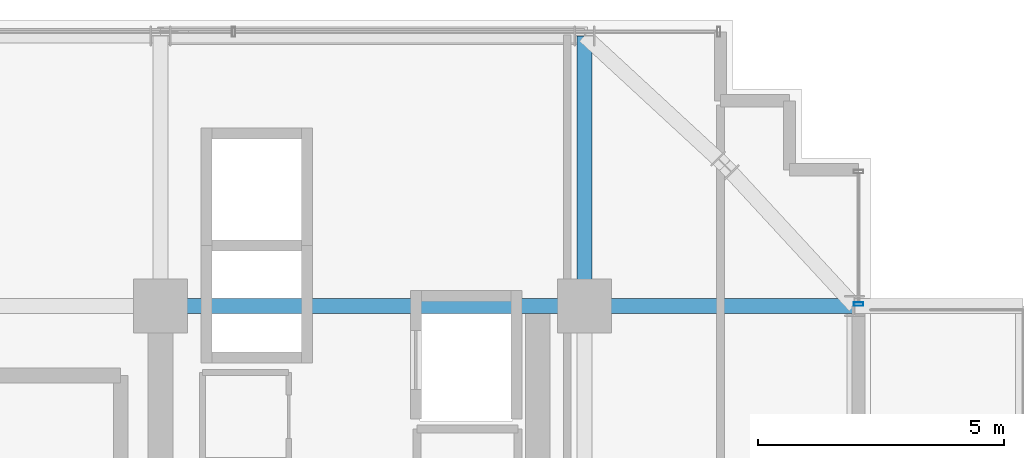
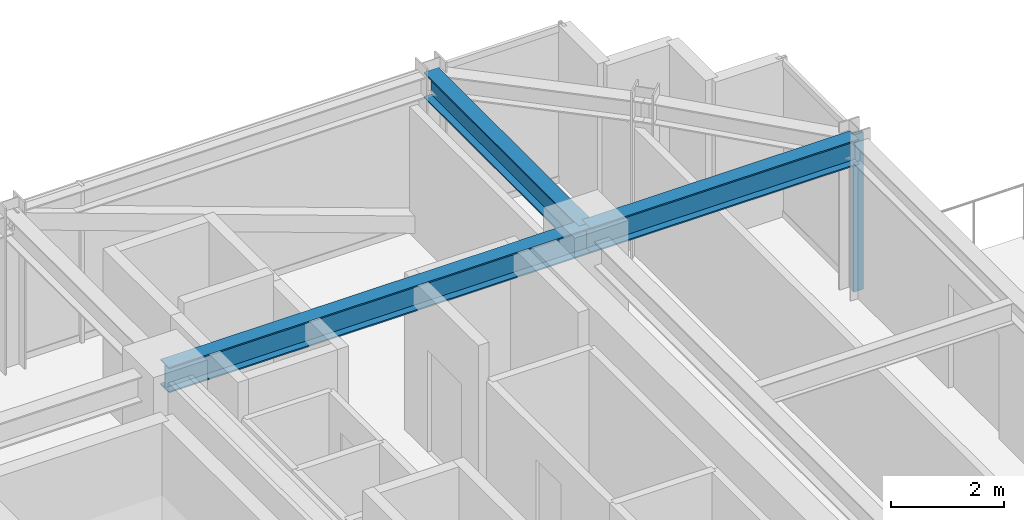
# One storey, part 27 of 38: 3 beams, 1 member, 1 element without a shape of its own.
"""IFC4 building model written with IfcOpenShell, lengths in metres."""

from ifc_helpers import new_model, si_unit, direction, frame, origin, origin_2d, place, context, subcontext, project, spatial, hollow_rectangle, i_section, extrude, source, transform, mapped, material, material_profile, profile_set, type_object, element, aggregate, save


model = new_model("IFC4")

# Units and contexts
model_context = context("Model", 3, precision=1e-05, world=origin(), true_north=direction((0.0, 1.0)))
body_context = subcontext(model_context, "Body", "Model", "MODEL_VIEW")
ifc_project = project(units=[si_unit("LENGTHUNIT", "METRE"), si_unit("AREAUNIT", "SQUARE_METRE"), si_unit("VOLUMEUNIT", "CUBIC_METRE"), si_unit("PLANEANGLEUNIT", "RADIAN"), si_unit("MASSUNIT", "GRAM", prefix="KILO")], contexts=[model_context])

# Site, building, storey
site_placement = place(None, origin())
site = spatial("IfcSite", under=ifc_project, at=site_placement, CompositionType="ELEMENT")
building_placement = place(site_placement, origin())
building = spatial("IfcBuilding", under=site, at=building_placement, Name="Nahalor Promenade Grand Hotel", CompositionType="ELEMENT")
storey_placement = place(building_placement, frame((0.0, 0.0, 163.60009765625)))
storey = spatial("IfcBuildingStorey", under=building, at=storey_placement, Name="L41", CompositionType="ELEMENT", Elevation=163.60009765625)

# Beams
ifc_material_1 = material(Name="Steel S355JR", Category="steel")
ifc_material_profile_1 = material_profile(ifc_material_1, i_section(OverallWidth=0.3, OverallDepth=0.55, WebThickness=0.015, FlangeThickness=0.029, at=origin_2d()), Name="HEB 550")
ifc_profile_set_1 = profile_set([ifc_material_profile_1], Name="Steel S355JR")
beam_type = type_object("IfcBeamType", Name="Beam-Girder-HEB550", PredefinedType="BEAM", material=ifc_profile_set_1)
shared_shape_1 = source(origin(), body_context, "Body", "SweptSolid", [
    extrude(i_section(OverallWidth=0.3, OverallDepth=0.55, WebThickness=0.015, FlangeThickness=0.029, at=origin_2d()), origin(), (0.0, 0.0, 1.0), 8.60009765625),
])
beam_placement = place(storey_placement, frame((8.39990234375, 17.0, 3.114990234375), z_axis=(1.0, 0.0, 0.0), x_axis=(0.0, 1.0, 0.0)))
element("IfcBeam", 1, at=beam_placement, inside=storey, type_object=beam_type, Name="BM-L41-GX-3-5", PredefinedType="BEAM", context=body_context, shape_type="MappedRepresentation", body=[
    mapped(shared_shape_1, transform((0.0, 0.0, 0.0), scale=1.0)),
])
shared_shape_2 = source(origin(), body_context, "Body", "SweptSolid", [
    extrude(i_section(OverallWidth=0.3, OverallDepth=0.55, WebThickness=0.015, FlangeThickness=0.029, at=origin_2d()), origin(), (0.0, 0.0, 1.0), 5.47998046875),
])
for number, where, z_axis, x_axis, name in (
    (2, (17.0, 17.0, 3.114990234375), (1.0, 0.0, 0.0), (0.0, 1.0, 0.0), "BM-L41-GX-3-6"),
    (3, (17.0, 17.0, 3.114990234375), (0.0, 1.0, 0.0), (-1.0, 0.0, 0.0), "BM-L41-GY-5-4"),
):
    element("IfcBeam", number, at=place(storey_placement, frame(where, z_axis=z_axis, x_axis=x_axis)), inside=storey, type_object=beam_type, Name=name, PredefinedType="BEAM", context=body_context, shape_type="MappedRepresentation", body=[
        mapped(shared_shape_2, transform((0.0, 0.0, 0.0), scale=1.0)),
    ])

# Curtain wall, member
ifc_material_2 = material(Name="Anodised Bronze Aluminium EN AW-6063 T6", Category="aluminium")
curtain_wall_type = type_object("IfcCurtainWallType", Name="CW3 Elliptical-Void Collar Unitised Curtain Wall", PredefinedType="USERDEFINED", material=ifc_material_2)
curtain_wall_placement = place(storey_placement, origin())
curtain_wall = element("IfcCurtainWall", 4, at=curtain_wall_placement, inside=storey, type_object=curtain_wall_type, Name="L41 Curtain Wall CW-L41-E-4", ObjectType="UNITISED_CURTAIN_WALL", PredefinedType="USERDEFINED")
ifc_material_profile_2 = material_profile(ifc_material_2, hollow_rectangle(XDim=0.07, YDim=0.2, WallThickness=0.005, at=origin_2d()), Name="CWM 70x200x5")
ifc_profile_set_2 = profile_set([ifc_material_profile_2], Name="Anodised Bronze Aluminium EN AW-6063 T6")
member_type = type_object("IfcMemberType", Name="CWM3 Void Collar Mullion 70x200", PredefinedType="MULLION", material=ifc_profile_set_2)
shared_shape_3 = source(origin(), body_context, "Body", "SweptSolid", [
    extrude(hollow_rectangle(XDim=0.07, YDim=0.2, WallThickness=0.005, at=origin_2d()), origin(), (0.0, 0.0, 1.0), 3.389892578125),
])
member_placement = place(storey_placement, frame((22.56005859375, 17.034912109375, 0.0), z_axis=(0.0, 0.0, 1.0), x_axis=(0.0, 1.0, 0.0)))
member = element("IfcMember", 5, at=member_placement, type_object=member_type, Name="CW-L41-E-4 Mullion 0", PredefinedType="MULLION", context=body_context, shape_type="MappedRepresentation", body=[
    mapped(shared_shape_3, transform((0.0, 0.0, 0.0), scale=1.0)),
])
aggregate(curtain_wall, [member])

save(model, "model.ifc")
